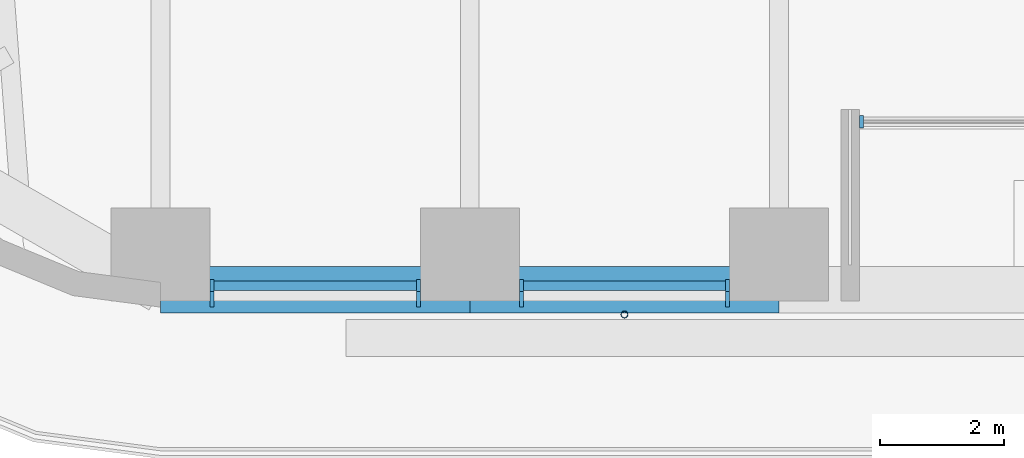
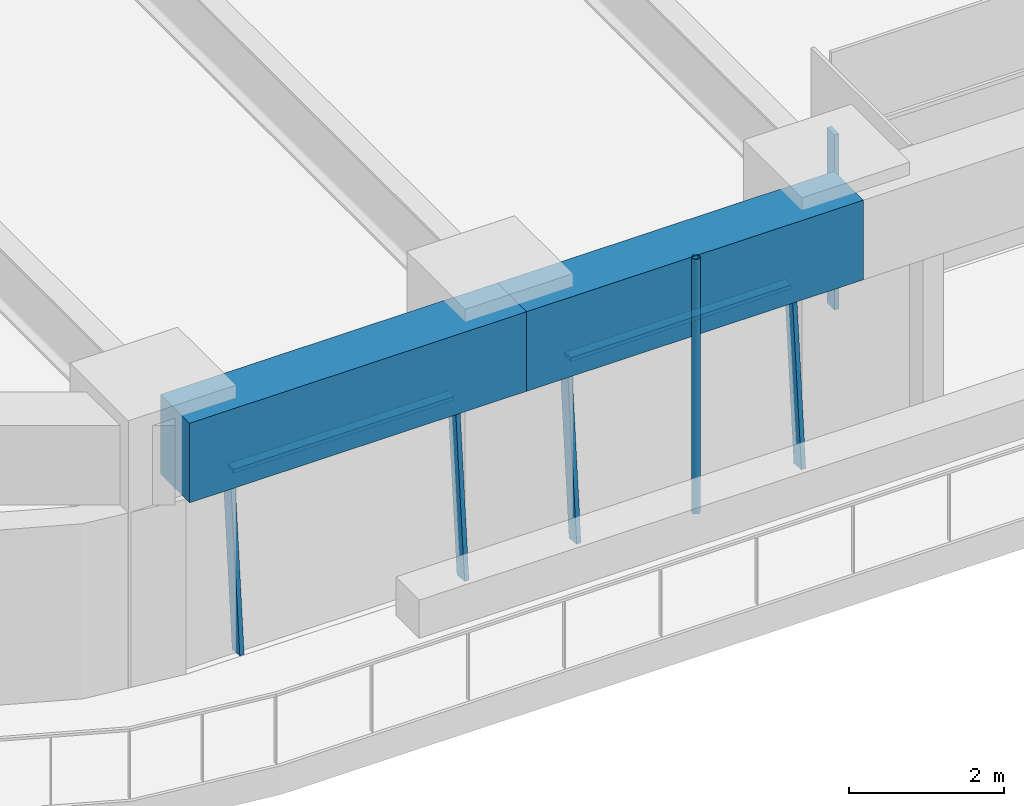
# One storey, part 2 of 24: 8 members, 2 beams, 3 elements without a shape of their own.
"""IFC4 building model written with IfcOpenShell, lengths in metres."""

from ifc_helpers import new_model, si_unit, direction, frame, origin, origin_2d, place, context, subcontext, project, spatial, rectangle, hollow_circle, extrude, material, material_profile, profile_set, type_object, element, aggregate, save


model = new_model("IFC4")

# Units and contexts
model_context = context("Model", 3, precision=1e-05, world=origin(), true_north=direction((0.0, 1.0)))
body_context = subcontext(model_context, "Body", "Model", "MODEL_VIEW")
ifc_project = project(units=[si_unit("LENGTHUNIT", "METRE"), si_unit("AREAUNIT", "SQUARE_METRE"), si_unit("VOLUMEUNIT", "CUBIC_METRE"), si_unit("PLANEANGLEUNIT", "RADIAN"), si_unit("MASSUNIT", "GRAM", prefix="KILO")], contexts=[model_context])

# Site, building, storey
site_placement = place(None, origin())
site = spatial("IfcSite", under=ifc_project, at=site_placement, CompositionType="ELEMENT")
building_placement = place(site_placement, origin())
building = spatial("IfcBuilding", under=site, at=building_placement, Name="Tarfa Lantern Tower", CompositionType="ELEMENT")
storey_placement = place(building_placement, frame((0.0, 0.0, 140.5)))
storey = spatial("IfcBuildingStorey", under=building, at=storey_placement, Name="L31", CompositionType="ELEMENT", Elevation=140.5)

# Curtain wall, members
ifc_material_1 = material(Name="Aluminium framed curtain wall", Category="aluminium")
curtain_wall_type_1 = type_object("IfcCurtainWallType", Name="CW2 CANTED GLAZING MID ZONE 2750", PredefinedType="USERDEFINED", material=ifc_material_1)
curtain_wall_1_placement = place(storey_placement, origin())
curtain_wall_1 = element("IfcCurtainWall", 1, at=curtain_wall_1_placement, inside=storey, type_object=curtain_wall_type_1, Name="CW2 S L31", ObjectType="CURTAIN WALL", PredefinedType="USERDEFINED")
ifc_material_2 = material(Name="Aluminium mullion", Category="aluminium")
ifc_material_profile_1 = material_profile(ifc_material_2, rectangle(XDim=0.06494140625, YDim=0.199951171875, at=origin_2d()), Name="AL MULLION 65x200")
ifc_profile_set_1 = profile_set([ifc_material_profile_1], Name="Aluminium mullion")
member_type_1 = type_object("IfcMemberType", Name="CWM1 MULLION 65x200", PredefinedType="MULLION", material=ifc_profile_set_1)
member_1_placement = place(storey_placement, frame((-14.1787109375, -31.39990234375, 0.0), z_axis=(0.0, 0.090535746043, 0.995893206468), x_axis=(-1.0, 0.0, 0.0)))
member_1 = element("IfcMember", 2, at=member_1_placement, type_object=member_type_1, Name="CW2 mullion 1", PredefinedType="MULLION", context=body_context, shape_type="SweptSolid", body=[
    extrude(rectangle(XDim=0.06494140625, YDim=0.199951171875, at=origin_2d()), origin(), (0.0, 0.0, 1.0), 2.76123046875),
])
member_2_placement = place(storey_placement, frame((-10.83984375, -31.39990234375, 0.0), z_axis=(0.0, 0.090535746043, 0.995893206468), x_axis=(-1.0, 0.0, 0.0)))
member_2 = element("IfcMember", 3, at=member_2_placement, type_object=member_type_1, Name="CW2 mullion 2", PredefinedType="MULLION", context=body_context, shape_type="SweptSolid", body=[
    extrude(rectangle(XDim=0.06494140625, YDim=0.199951171875, at=origin_2d()), origin(), (0.0, 0.0, 1.0), 2.76123046875),
])

curtain_wall_2_placement = place(storey_placement, origin())
curtain_wall_2 = element("IfcCurtainWall", 4, at=curtain_wall_2_placement, inside=storey, type_object=curtain_wall_type_1, Name="CW2 S L31", ObjectType="CURTAIN WALL", PredefinedType="USERDEFINED")
member_3_placement = place(storey_placement, frame((-9.1748046875, -31.39990234375, 0.0), z_axis=(0.0, 0.090535746043, 0.995893206468), x_axis=(-1.0, 0.0, 0.0)))
member_3 = element("IfcMember", 5, at=member_3_placement, type_object=member_type_1, Name="CW2 mullion 1", PredefinedType="MULLION", context=body_context, shape_type="SweptSolid", body=[
    extrude(rectangle(XDim=0.06494140625, YDim=0.199951171875, at=origin_2d()), origin(), (0.0, 0.0, 1.0), 2.76123046875),
])
member_4_placement = place(storey_placement, frame((-5.836181640625, -31.39990234375, 0.0), z_axis=(0.0, 0.090535746043, 0.995893206468), x_axis=(-1.0, 0.0, 0.0)))
member_4 = element("IfcMember", 6, at=member_4_placement, type_object=member_type_1, Name="CW2 mullion 2", PredefinedType="MULLION", context=body_context, shape_type="SweptSolid", body=[
    extrude(rectangle(XDim=0.06494140625, YDim=0.199951171875, at=origin_2d()), origin(), (0.0, 0.0, 1.0), 2.76123046875),
])

# Curtain wall, member
curtain_wall_type_2 = type_object("IfcCurtainWallType", Name="CW10 LOGGIA GLAZING 2750", PredefinedType="USERDEFINED", material=ifc_material_1)
curtain_wall_3_placement = place(storey_placement, origin())
curtain_wall_3 = element("IfcCurtainWall", 7, at=curtain_wall_3_placement, inside=storey, type_object=curtain_wall_type_2, Name="CW10 SL L31", ObjectType="CURTAIN WALL", PredefinedType="USERDEFINED")
member_5_placement = place(storey_placement, frame((-3.671142578125, -28.5, 0.0), z_axis=(0.0, 0.0, 1.0), x_axis=(1.0, 0.0, 0.0)))
member_5 = element("IfcMember", 8, at=member_5_placement, type_object=member_type_1, Name="CW10 mullion 1", PredefinedType="MULLION", context=body_context, shape_type="SweptSolid", body=[
    extrude(rectangle(XDim=0.06494140625, YDim=0.199951171875, at=origin_2d()), origin(), (0.0, 0.0, 1.0), 2.75),
])
aggregate(curtain_wall_3, [member_5])

# Member
ifc_material_3 = material(Name="Aluminium transom", Category="aluminium")
ifc_material_profile_2 = material_profile(ifc_material_3, rectangle(XDim=0.14990234375, YDim=0.06494140625, at=origin_2d()), Name="AL TRANSOM 150x65")
ifc_profile_set_2 = profile_set([ifc_material_profile_2], Name="Aluminium transom")
member_type_2 = type_object("IfcMemberType", Name="CWT1 TRANSOM 150x65", PredefinedType="USERDEFINED", material=ifc_profile_set_2)
member_6_placement = place(storey_placement, frame((-14.14599609375, -31.153076171875, 2.717529296875), z_axis=(1.0, 0.0, 0.0), x_axis=(0.0, 1.0, 0.0)))
member_6 = element("IfcMember", 9, at=member_6_placement, type_object=member_type_2, Name="CW2 transom 1.2", ObjectType="TRANSOM", PredefinedType="USERDEFINED", context=body_context, shape_type="SweptSolid", body=[
    extrude(rectangle(XDim=0.14990234375, YDim=0.06494140625, at=origin_2d()), origin(), (0.0, 0.0, 1.0), 3.273681640625),
])

aggregate(curtain_wall_1, [member_1, member_2, member_6])

member_7_placement = place(storey_placement, frame((-9.142333984375, -31.153076171875, 2.717529296875), z_axis=(1.0, 0.0, 0.0), x_axis=(0.0, 1.0, 0.0)))
member_7 = element("IfcMember", 10, at=member_7_placement, type_object=member_type_2, Name="CW2 transom 1.2", ObjectType="TRANSOM", PredefinedType="USERDEFINED", context=body_context, shape_type="SweptSolid", body=[
    extrude(rectangle(XDim=0.14990234375, YDim=0.06494140625, at=origin_2d()), origin(), (0.0, 0.0, 1.0), 3.273681640625),
])

aggregate(curtain_wall_2, [member_3, member_4, member_7])

# Beams
ifc_material_4 = material(Name="Concrete C80/95", Category="concrete")
ifc_material_profile_3 = material_profile(ifc_material_4, rectangle(XDim=0.75, YDim=1.25, at=origin_2d()), Name="RC 750x1250")
ifc_profile_set_3 = profile_set([ifc_material_profile_3], Name="Concrete C80/95")
beam_type = type_object("IfcBeamType", Name="EB2 RC 750x1250", PredefinedType="SPANDREL", material=ifc_profile_set_3)
for number, where, z_axis, x_axis, name in (
    (11, (-15.010986328125, -31.219970703125, 3.375), (1.0, 0.0, 0.0), (0.0, 1.0, 0.0), "Edge beam S0"),
    (12, (-10.00732421875, -31.219970703125, 3.375), (1.0, 0.0, 0.0), (0.0, 1.0, 0.0), "Edge beam S1"),
):
    element("IfcBeam", number, at=place(storey_placement, frame(where, z_axis=z_axis, x_axis=x_axis)), inside=storey, type_object=beam_type, Name=name, PredefinedType="SPANDREL", context=body_context, shape_type="SweptSolid", body=[
        extrude(rectangle(XDim=0.75, YDim=1.25, at=origin_2d()), origin(), (0.0, 0.0, 1.0), 5.003662109375),
    ])

# Member
ifc_material_5 = material(Name="Steel S355", Category="steel")
ifc_material_profile_4 = material_profile(ifc_material_5, hollow_circle(Radius=0.05712890625, WallThickness=0.00634765625, at=origin_2d()), Name="CHS114.3x6.3")
ifc_profile_set_4 = profile_set([ifc_material_profile_4], Name="Steel S355")
member_type_3 = type_object("IfcMemberType", Name="TR1 GREEN WALL TRELLIS CHS114.3x6.3", PredefinedType="USERDEFINED", material=ifc_profile_set_4)
member_8_placement = place(storey_placement, frame((-7.505615234375, -31.6201171875, 0.0), z_axis=(0.0, 0.0, 1.0), x_axis=(1.0, 0.0, 0.0)))
element("IfcMember", 13, at=member_8_placement, inside=storey, type_object=member_type_3, Name="Trellis post S 1", ObjectType="TRELLIS", PredefinedType="USERDEFINED", context=body_context, shape_type="SweptSolid", body=[
    extrude(hollow_circle(Radius=0.05712890625, WallThickness=0.00634765625, at=origin_2d()), origin(), (0.0, 0.0, 1.0), 4.0),
])

save(model, "model.ifc")
